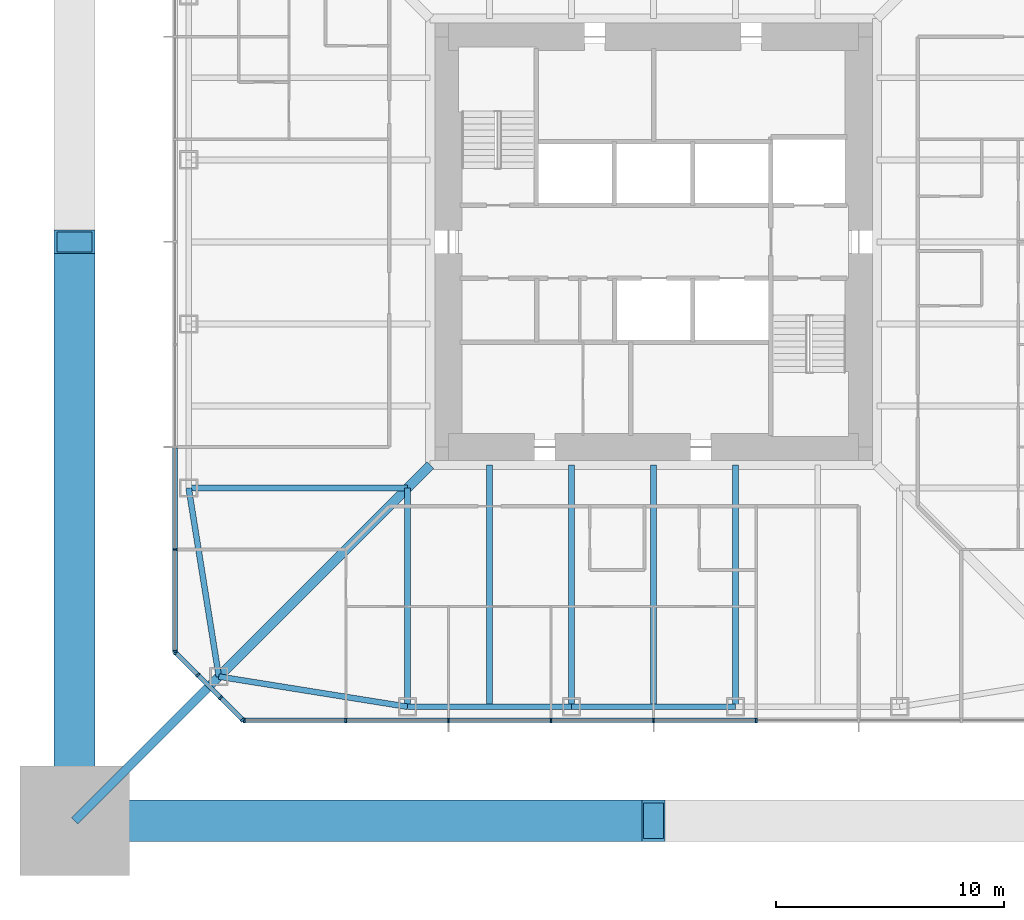
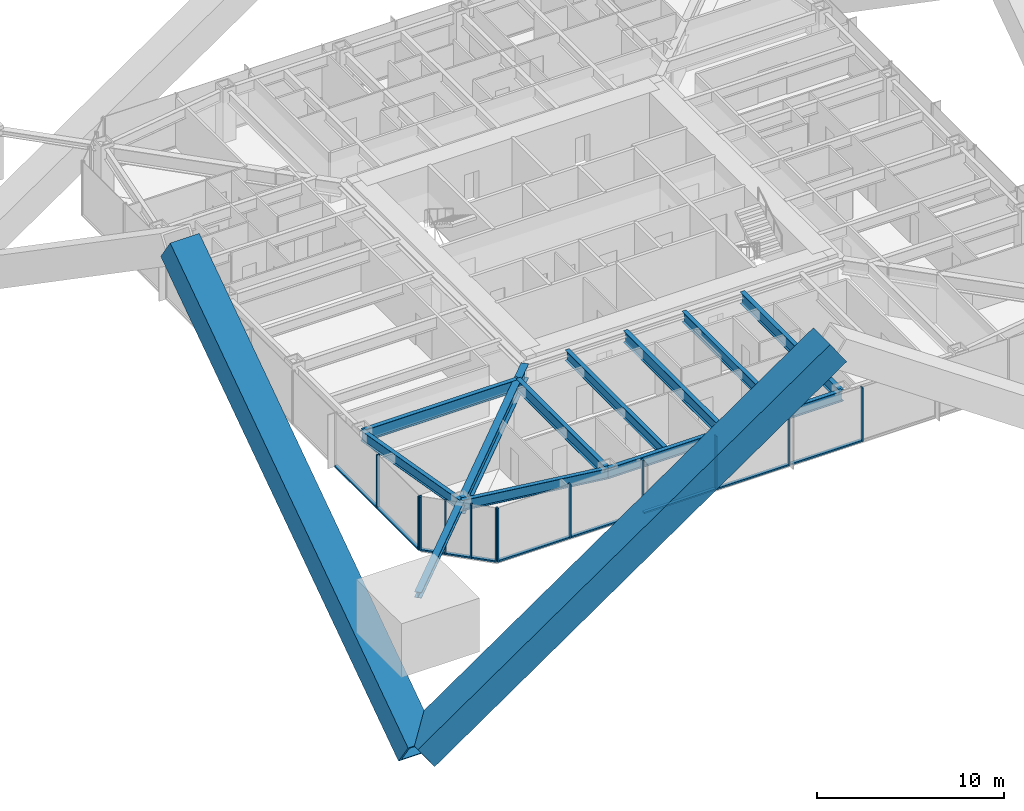
# One storey, part 3 of 26: 25 members, 11 beams, 3 elements without a shape of their own.
"""IFC4 building model written with IfcOpenShell, lengths in metres."""

from ifc_helpers import new_model, si_unit, direction, frame, origin, origin_2d, place, context, subcontext, project, spatial, rectangle, hollow_rectangle, i_section, extrude, material, material_profile, profile_set, type_object, element, aggregate, save


model = new_model("IFC4")

# Units and contexts
model_context = context("Model", 3, precision=1e-05, world=origin(), true_north=direction((0.0, 1.0)))
body_context = subcontext(model_context, "Body", "Model", "MODEL_VIEW")
ifc_project = project(units=[si_unit("LENGTHUNIT", "METRE"), si_unit("AREAUNIT", "SQUARE_METRE"), si_unit("VOLUMEUNIT", "CUBIC_METRE"), si_unit("PLANEANGLEUNIT", "RADIAN"), si_unit("MASSUNIT", "GRAM", prefix="KILO")], contexts=[model_context])

# Site, building, storey
site_placement = place(None, origin())
site = spatial("IfcSite", under=ifc_project, at=site_placement, CompositionType="ELEMENT")
building_placement = place(site_placement, origin())
building = spatial("IfcBuilding", under=site, at=building_placement, Name="Iwan Alto Co-Living Towers", CompositionType="ELEMENT")
storey_placement = place(building_placement, frame((0.0, 0.0, 115.5)))
storey = spatial("IfcBuildingStorey", under=building, at=storey_placement, Name="L31", CompositionType="ELEMENT", Elevation=115.5)

# Curtain wall, members
ifc_material_1 = material(Name="Bronze aluminium unitised frame", Category="aluminium")
curtain_wall_type_1 = type_object("IfcCurtainWallType", Name="CURTAIN WALL CW-A", PredefinedType="NOTDEFINED", material=ifc_material_1)
curtain_wall_1_placement = place(storey_placement, origin())
curtain_wall_1 = element("IfcCurtainWall", 1, at=curtain_wall_1_placement, inside=storey, type_object=curtain_wall_type_1, Name="T1 curtain wall S L31", PredefinedType="NOTDEFINED")
ifc_material_2 = material(Name="Aluminium 6063-T6 bronze anodised", Category="aluminium")
ifc_material_profile_1 = material_profile(ifc_material_2, rectangle(XDim=0.199951171875, YDim=0.080078125, at=origin_2d()), Name="AL 80X200")
ifc_profile_set_1 = profile_set([ifc_material_profile_1], Name="Aluminium 6063-T6 bronze anodised")
member_type_1 = type_object("IfcMemberType", Name="CW-A MULLION 80X200", PredefinedType="MULLION", material=ifc_profile_set_1)
member_1_placement = place(storey_placement, frame((-17.9599609375, -21.0, 0.0), z_axis=(0.0, 0.0, 1.0), x_axis=(0.0, 1.0, 0.0)))
member_1 = element("IfcMember", 2, at=member_1_placement, type_object=member_type_1, Name="CW-A mullion 1", PredefinedType="MULLION", context=body_context, shape_type="SweptSolid", body=[
    extrude(rectangle(XDim=0.199951171875, YDim=0.080078125, at=origin_2d()), origin(), (0.0, 0.0, 1.0), 3.5),
])
member_2_placement = place(storey_placement, frame((-13.5, -21.0, 0.0), z_axis=(0.0, 0.0, 1.0), x_axis=(0.0, 1.0, 0.0)))
member_2 = element("IfcMember", 3, at=member_2_placement, type_object=member_type_1, Name="CW-A mullion 2", PredefinedType="MULLION", context=body_context, shape_type="SweptSolid", body=[
    extrude(rectangle(XDim=0.199951171875, YDim=0.080078125, at=origin_2d()), origin(), (0.0, 0.0, 1.0), 3.5),
])
member_3_placement = place(storey_placement, frame((-9.0, -21.0, 0.0), z_axis=(0.0, 0.0, 1.0), x_axis=(0.0, 1.0, 0.0)))
member_3 = element("IfcMember", 4, at=member_3_placement, type_object=member_type_1, Name="CW-A mullion 3", PredefinedType="MULLION", context=body_context, shape_type="SweptSolid", body=[
    extrude(rectangle(XDim=0.199951171875, YDim=0.080078125, at=origin_2d()), origin(), (0.0, 0.0, 1.0), 3.5),
])
member_4_placement = place(storey_placement, frame((-4.5, -21.0, 0.0), z_axis=(0.0, 0.0, 1.0), x_axis=(0.0, 1.0, 0.0)))
member_4 = element("IfcMember", 5, at=member_4_placement, type_object=member_type_1, Name="CW-A mullion 4", PredefinedType="MULLION", context=body_context, shape_type="SweptSolid", body=[
    extrude(rectangle(XDim=0.199951171875, YDim=0.080078125, at=origin_2d()), origin(), (0.0, 0.0, 1.0), 3.5),
])
member_5_placement = place(storey_placement, frame((0.0, -21.0, 0.0), z_axis=(0.0, 0.0, 1.0), x_axis=(0.0, 1.0, 0.0)))
member_5 = element("IfcMember", 6, at=member_5_placement, type_object=member_type_1, Name="CW-A mullion 5", PredefinedType="MULLION", context=body_context, shape_type="SweptSolid", body=[
    extrude(rectangle(XDim=0.199951171875, YDim=0.080078125, at=origin_2d()), origin(), (0.0, 0.0, 1.0), 3.5),
])
member_6_placement = place(storey_placement, frame((4.5, -21.0, 0.0), z_axis=(0.0, 0.0, 1.0), x_axis=(0.0, 1.0, 0.0)))
member_6 = element("IfcMember", 7, at=member_6_placement, type_object=member_type_1, Name="CW-A mullion 6", PredefinedType="MULLION", context=body_context, shape_type="SweptSolid", body=[
    extrude(rectangle(XDim=0.199951171875, YDim=0.080078125, at=origin_2d()), origin(), (0.0, 0.0, 1.0), 3.5),
])

curtain_wall_2_placement = place(storey_placement, origin())
curtain_wall_2 = element("IfcCurtainWall", 8, at=curtain_wall_2_placement, inside=storey, type_object=curtain_wall_type_1, Name="T1 curtain wall W L31", PredefinedType="NOTDEFINED")
member_7_placement = place(storey_placement, frame((-21.0, -13.5, 0.0), z_axis=(0.0, 0.0, 1.0), x_axis=(1.0, 0.0, 0.0)))
member_7 = element("IfcMember", 9, at=member_7_placement, type_object=member_type_1, Name="CW-A mullion 8", PredefinedType="MULLION", context=body_context, shape_type="SweptSolid", body=[
    extrude(rectangle(XDim=0.199951171875, YDim=0.080078125, at=origin_2d()), origin(), (0.0, 0.0, 1.0), 3.5),
])
member_8_placement = place(storey_placement, frame((-21.0, -17.9599609375, 0.0), z_axis=(0.0, 0.0, 1.0), x_axis=(1.0, 0.0, 0.0)))
member_8 = element("IfcMember", 10, at=member_8_placement, type_object=member_type_1, Name="CW-A mullion 9", PredefinedType="MULLION", context=body_context, shape_type="SweptSolid", body=[
    extrude(rectangle(XDim=0.199951171875, YDim=0.080078125, at=origin_2d()), origin(), (0.0, 0.0, 1.0), 3.5),
])

# Member
ifc_material_3 = material(Name="Aluminium 6063-T6 bronze anodised", Category="aluminium")
ifc_material_profile_2 = material_profile(ifc_material_3, rectangle(XDim=0.199951171875, YDim=0.10009765625, at=origin_2d()), Name="AL 200X100")
ifc_profile_set_2 = profile_set([ifc_material_profile_2], Name="Aluminium 6063-T6 bronze anodised")
member_type_2 = type_object("IfcMemberType", Name="CW-A TRANSOM 200X100", PredefinedType="USERDEFINED", material=ifc_profile_set_2)
member_9_placement = place(storey_placement, frame((-17.919921875, -21.0, 0.050048828125), z_axis=(1.0, 0.0, 0.0), x_axis=(0.0, 1.0, 0.0)))
member_9 = element("IfcMember", 11, at=member_9_placement, type_object=member_type_2, Name="CW-A transom 1.1", ObjectType="TRANSOM", PredefinedType="USERDEFINED", context=body_context, shape_type="SweptSolid", body=[
    extrude(rectangle(XDim=0.199951171875, YDim=0.10009765625, at=origin_2d()), origin(), (0.0, 0.0, 1.0), 4.3798828125),
])

member_10_placement = place(storey_placement, frame((-13.4599609375, -21.0, 0.050048828125), z_axis=(1.0, 0.0, 0.0), x_axis=(0.0, 1.0, 0.0)))
member_10 = element("IfcMember", 12, at=member_10_placement, type_object=member_type_2, Name="CW-A transom 2.1", ObjectType="TRANSOM", PredefinedType="USERDEFINED", context=body_context, shape_type="SweptSolid", body=[
    extrude(rectangle(XDim=0.199951171875, YDim=0.10009765625, at=origin_2d()), origin(), (0.0, 0.0, 1.0), 4.419921875),
])

member_11_placement = place(storey_placement, frame((-8.9599609375, -21.0, 0.050048828125), z_axis=(1.0, 0.0, 0.0), x_axis=(0.0, 1.0, 0.0)))
member_11 = element("IfcMember", 13, at=member_11_placement, type_object=member_type_2, Name="CW-A transom 3.1", ObjectType="TRANSOM", PredefinedType="USERDEFINED", context=body_context, shape_type="SweptSolid", body=[
    extrude(rectangle(XDim=0.199951171875, YDim=0.10009765625, at=origin_2d()), origin(), (0.0, 0.0, 1.0), 4.419921875),
])

member_12_placement = place(storey_placement, frame((-4.4599609375, -21.0, 0.050048828125), z_axis=(1.0, 0.0, 0.0), x_axis=(0.0, 1.0, 0.0)))
member_12 = element("IfcMember", 14, at=member_12_placement, type_object=member_type_2, Name="CW-A transom 4.1", ObjectType="TRANSOM", PredefinedType="USERDEFINED", context=body_context, shape_type="SweptSolid", body=[
    extrude(rectangle(XDim=0.199951171875, YDim=0.10009765625, at=origin_2d()), origin(), (0.0, 0.0, 1.0), 4.419921875),
])

member_13_placement = place(storey_placement, frame((0.0400390625, -21.0, 0.050048828125), z_axis=(1.0, 0.0, 0.0), x_axis=(0.0, 1.0, 0.0)))
member_13 = element("IfcMember", 15, at=member_13_placement, type_object=member_type_2, Name="CW-A transom 5.1", ObjectType="TRANSOM", PredefinedType="USERDEFINED", context=body_context, shape_type="SweptSolid", body=[
    extrude(rectangle(XDim=0.199951171875, YDim=0.10009765625, at=origin_2d()), origin(), (0.0, 0.0, 1.0), 4.419921875),
])

aggregate(curtain_wall_1, [member_1, member_2, member_3, member_4, member_5, member_6, member_9, member_10, member_11, member_12, member_13])

member_14_placement = place(storey_placement, frame((-21.0, -9.0400390625, 0.050048828125), z_axis=(0.0, -1.0, 0.0), x_axis=(1.0, 0.0, 0.0)))
member_14 = element("IfcMember", 16, at=member_14_placement, type_object=member_type_2, Name="CW-A transom 7.1", ObjectType="TRANSOM", PredefinedType="USERDEFINED", context=body_context, shape_type="SweptSolid", body=[
    extrude(rectangle(XDim=0.199951171875, YDim=0.10009765625, at=origin_2d()), origin(), (0.0, 0.0, 1.0), 4.419921875),
])

member_15_placement = place(storey_placement, frame((-21.0, -13.5400390625, 0.050048828125), z_axis=(0.0, -1.0, 0.0), x_axis=(1.0, 0.0, 0.0)))
member_15 = element("IfcMember", 17, at=member_15_placement, type_object=member_type_2, Name="CW-A transom 8.1", ObjectType="TRANSOM", PredefinedType="USERDEFINED", context=body_context, shape_type="SweptSolid", body=[
    extrude(rectangle(XDim=0.199951171875, YDim=0.10009765625, at=origin_2d()), origin(), (0.0, 0.0, 1.0), 4.3798828125),
])

aggregate(curtain_wall_2, [member_7, member_8, member_14, member_15])

# Curtain wall, members
ifc_material_4 = material(Name="Bronze aluminium unitised frame", Category="aluminium")
curtain_wall_type_2 = type_object("IfcCurtainWallType", Name="CURTAIN WALL CW-B", PredefinedType="NOTDEFINED", material=ifc_material_4)
curtain_wall_3_placement = place(storey_placement, origin())
curtain_wall_3 = element("IfcCurtainWall", 18, at=curtain_wall_3_placement, inside=storey, type_object=curtain_wall_type_2, Name="T1 chamfer curtain wall SW L31", PredefinedType="NOTDEFINED")
ifc_material_5 = material(Name="Aluminium 6063-T6 bronze anodised", Category="aluminium")
ifc_material_profile_3 = material_profile(ifc_material_5, rectangle(XDim=0.199951171875, YDim=0.080078125, at=origin_2d()), Name="AL 80X200")
ifc_profile_set_3 = profile_set([ifc_material_profile_3], Name="Aluminium 6063-T6 bronze anodised")
member_type_3 = type_object("IfcMemberType", Name="CW-B MULLION 80X200", PredefinedType="MULLION", material=ifc_profile_set_3)
member_16_placement = place(storey_placement, frame((-20.9716796875, -18.0283203125, 0.0), z_axis=(0.0, 0.0, 1.0), x_axis=(0.707106781187, 0.707106781187, 0.0)))
member_16 = element("IfcMember", 19, at=member_16_placement, type_object=member_type_3, Name="CW-B mullion 1", PredefinedType="MULLION", context=body_context, shape_type="SweptSolid", body=[
    extrude(rectangle(XDim=0.199951171875, YDim=0.080078125, at=origin_2d()), origin(), (0.0, 0.0, 1.0), 3.5),
])
member_17_placement = place(storey_placement, frame((-20.0, -19.0, 0.0), z_axis=(0.0, 0.0, 1.0), x_axis=(0.707106781187, 0.707106781187, 0.0)))
member_17 = element("IfcMember", 20, at=member_17_placement, type_object=member_type_3, Name="CW-B mullion 2", PredefinedType="MULLION", context=body_context, shape_type="SweptSolid", body=[
    extrude(rectangle(XDim=0.199951171875, YDim=0.080078125, at=origin_2d()), origin(), (0.0, 0.0, 1.0), 3.5),
])
member_18_placement = place(storey_placement, frame((-19.0, -20.0, 0.0), z_axis=(0.0, 0.0, 1.0), x_axis=(0.707106781187, 0.707106781187, 0.0)))
member_18 = element("IfcMember", 21, at=member_18_placement, type_object=member_type_3, Name="CW-B mullion 3", PredefinedType="MULLION", context=body_context, shape_type="SweptSolid", body=[
    extrude(rectangle(XDim=0.199951171875, YDim=0.080078125, at=origin_2d()), origin(), (0.0, 0.0, 1.0), 3.5),
])
member_19_placement = place(storey_placement, frame((-18.0283203125, -20.9716796875, 0.0), z_axis=(0.0, 0.0, 1.0), x_axis=(0.707106781187, 0.707106781187, 0.0)))
member_19 = element("IfcMember", 22, at=member_19_placement, type_object=member_type_3, Name="CW-B mullion 4", PredefinedType="MULLION", context=body_context, shape_type="SweptSolid", body=[
    extrude(rectangle(XDim=0.199951171875, YDim=0.080078125, at=origin_2d()), origin(), (0.0, 0.0, 1.0), 3.5),
])
ifc_material_6 = material(Name="Aluminium 6063-T6 bronze anodised", Category="aluminium")
ifc_material_profile_4 = material_profile(ifc_material_6, rectangle(XDim=0.199951171875, YDim=0.10009765625, at=origin_2d()), Name="AL 200X100")
ifc_profile_set_4 = profile_set([ifc_material_profile_4], Name="Aluminium 6063-T6 bronze anodised")
member_type_4 = type_object("IfcMemberType", Name="CW-B TRANSOM 200X100", PredefinedType="USERDEFINED", material=ifc_profile_set_4)
member_20_placement = place(storey_placement, frame((-20.943359375, -18.056640625, 0.050048828125), z_axis=(0.707106781187, -0.707106781187, 0.0), x_axis=(0.707106781187, 0.707106781187, 0.0)))
member_20 = element("IfcMember", 23, at=member_20_placement, type_object=member_type_4, Name="CW-B transom 1.1", ObjectType="TRANSOM", PredefinedType="USERDEFINED", context=body_context, shape_type="SweptSolid", body=[
    extrude(rectangle(XDim=0.199951171875, YDim=0.10009765625, at=origin_2d()), origin(), (0.0, 0.0, 1.0), 1.2939453125),
])
member_21_placement = place(storey_placement, frame((-19.9716796875, -19.0283203125, 0.050048828125), z_axis=(0.707106781187, -0.707106781187, 0.0), x_axis=(0.707106781187, 0.707106781187, 0.0)))
member_21 = element("IfcMember", 24, at=member_21_placement, type_object=member_type_4, Name="CW-B transom 2.1", ObjectType="TRANSOM", PredefinedType="USERDEFINED", context=body_context, shape_type="SweptSolid", body=[
    extrude(rectangle(XDim=0.199951171875, YDim=0.10009765625, at=origin_2d()), origin(), (0.0, 0.0, 1.0), 1.334228515625),
])
member_22_placement = place(storey_placement, frame((-18.9716796875, -20.0283203125, 0.050048828125), z_axis=(0.707106781187, -0.707106781187, 0.0), x_axis=(0.707106781187, 0.707106781187, 0.0)))
member_22 = element("IfcMember", 25, at=member_22_placement, type_object=member_type_4, Name="CW-B transom 3.1", ObjectType="TRANSOM", PredefinedType="USERDEFINED", context=body_context, shape_type="SweptSolid", body=[
    extrude(rectangle(XDim=0.199951171875, YDim=0.10009765625, at=origin_2d()), origin(), (0.0, 0.0, 1.0), 1.2939453125),
])
aggregate(curtain_wall_3, [member_16, member_17, member_18, member_19, member_20, member_21, member_22])

# Beams
ifc_material_7 = material(Name="Steel ASTM A992 Gr 50", Category="steel")
ifc_material_profile_5 = material_profile(ifc_material_7, i_section(OverallWidth=0.419189453125, OverallDepth=0.927001953125, WebThickness=0.019287109375, FlangeThickness=0.031982421875, at=origin_2d()), Name="W36X231")
ifc_profile_set_5 = profile_set([ifc_material_profile_5], Name="Steel ASTM A992 Gr 50")
beam_type_1 = type_object("IfcBeamType", Name="T1 CORNER GIRDER W36X231", PredefinedType="BEAM", material=ifc_profile_set_5)
beam_1_placement = place(storey_placement, frame((-19.07568359375, -19.07568359375, 2.806396484375), z_axis=(0.707106781187, 0.707106781187, 0.0), x_axis=(-0.707106781187, 0.707106781187, 0.0)))
element("IfcBeam", 26, at=beam_1_placement, inside=storey, type_object=beam_type_1, Name="T1 corner girder CSW L32", PredefinedType="BEAM", context=body_context, shape_type="SweptSolid", body=[
    extrude(i_section(OverallWidth=0.419189453125, OverallDepth=0.927001953125, WebThickness=0.019287109375, FlangeThickness=0.031982421875, at=origin_2d()), origin(), (0.0, 0.0, 1.0), 13.11865234375),
])
ifc_material_8 = material(Name="Steel ASTM A992 Gr 50", Category="steel")
ifc_material_profile_6 = material_profile(ifc_material_8, i_section(OverallWidth=0.25390625, OverallDepth=0.683349609375, WebThickness=0.012451171875, FlangeThickness=0.018798828125, at=origin_2d()), Name="W27X94")
ifc_profile_set_6 = profile_set([ifc_material_profile_6], Name="Steel ASTM A992 Gr 50")
beam_type_2 = type_object("IfcBeamType", Name="T1 EDGE BEAM W27X94", PredefinedType="BEAM", material=ifc_profile_set_6)
beam_2_placement = place(storey_placement, frame((-19.07568359375, -19.07568359375, 2.928466796875), z_axis=(0.987438450439, -0.158004134737, 0.0), x_axis=(0.158004134737, 0.987438450439, 0.0)))
element("IfcBeam", 27, at=beam_2_placement, inside=storey, type_object=beam_type_2, Name="T1 edge beam CSW L32", PredefinedType="BEAM", context=body_context, shape_type="SweptSolid", body=[
    extrude(i_section(OverallWidth=0.25390625, OverallDepth=0.683349609375, WebThickness=0.012451171875, FlangeThickness=0.018798828125, at=origin_2d()), origin(), (0.0, 0.0, 1.0), 8.380859375),
])
beam_3_placement = place(storey_placement, frame((-10.800048828125, -20.39990234375, 2.928466796875), z_axis=(1.0, 0.0, 0.0), x_axis=(0.0, 1.0, 0.0)))
element("IfcBeam", 28, at=beam_3_placement, inside=storey, type_object=beam_type_2, Name="T1 edge beam S1 L32", PredefinedType="BEAM", context=body_context, shape_type="SweptSolid", body=[
    extrude(i_section(OverallWidth=0.25390625, OverallDepth=0.683349609375, WebThickness=0.012451171875, FlangeThickness=0.018798828125, at=origin_2d()), origin(), (0.0, 0.0, 1.0), 7.199951171875),
])
beam_4_placement = place(storey_placement, frame((-3.60009765625, -20.39990234375, 2.928466796875), z_axis=(1.0, 0.0, 0.0), x_axis=(0.0, 1.0, 0.0)))
element("IfcBeam", 29, at=beam_4_placement, inside=storey, type_object=beam_type_2, Name="T1 edge beam S2 L32", PredefinedType="BEAM", context=body_context, shape_type="SweptSolid", body=[
    extrude(i_section(OverallWidth=0.25390625, OverallDepth=0.683349609375, WebThickness=0.012451171875, FlangeThickness=0.018798828125, at=origin_2d()), origin(), (0.0, 0.0, 1.0), 7.2001953125),
])
beam_5_placement = place(storey_placement, frame((-20.39990234375, -10.800048828125, 2.928466796875), z_axis=(0.158004134737, -0.987438450439, 0.0), x_axis=(0.987438450439, 0.158004134737, 0.0)))
element("IfcBeam", 30, at=beam_5_placement, inside=storey, type_object=beam_type_2, Name="T1 edge beam W4 L32", PredefinedType="BEAM", context=body_context, shape_type="SweptSolid", body=[
    extrude(i_section(OverallWidth=0.25390625, OverallDepth=0.683349609375, WebThickness=0.012451171875, FlangeThickness=0.018798828125, at=origin_2d()), origin(), (0.0, 0.0, 1.0), 8.380859375),
])

# Members
ifc_material_9 = material(Name="Steel ASTM A572 Gr 42", Category="steel")
ifc_material_profile_7 = material_profile(ifc_material_9, hollow_rectangle(XDim=1.800048828125, YDim=1.800048828125, WallThickness=0.1298828125, at=origin_2d()), Name="BOX 1800X1800X130")
ifc_profile_set_7 = profile_set([ifc_material_profile_7], Name="Steel ASTM A572 Gr 42")
member_type_5 = type_object("IfcMemberType", Name="T1 MEGA BRACE BOX 1800X1800X130", PredefinedType="BRACE", material=ifc_profile_set_7)
for number, where, z_axis, x_axis, name in (
    (31, (-25.39990234375, -25.39990234375, -7.0), (0.82347292246, 0.0, 0.56735557279), (0.0, 1.0, 0.0), "T1 mega brace Z2B S 1 lower"),
    (32, (-25.39990234375, -25.39990234375, -7.0), (0.0, 0.82347292246, 0.56735557279), (-1.0, 0.0, 0.0), "T1 mega brace Z2B W 2 lower"),
):
    element("IfcMember", number, at=place(storey_placement, frame(where, z_axis=z_axis, x_axis=x_axis)), inside=storey, type_object=member_type_5, Name=name, PredefinedType="BRACE", context=body_context, shape_type="SweptSolid", body=[
        extrude(hollow_rectangle(XDim=1.800048828125, YDim=1.800048828125, WallThickness=0.1298828125, at=origin_2d()), origin(), (0.0, 0.0, 1.0), 30.844970703125),
    ])
ifc_material_10 = material(Name="Steel ASTM A992 Gr 50", Category="steel")
ifc_material_profile_8 = material_profile(ifc_material_10, i_section(OverallWidth=0.393798828125, OverallDepth=0.3759765625, WebThickness=0.017333984375, FlangeThickness=0.027587890625, at=origin_2d()), Name="W14X145")
ifc_profile_set_8 = profile_set([ifc_material_profile_8], Name="Steel ASTM A992 Gr 50")
member_type_6 = type_object("IfcMemberType", Name="T1 MEGA COLUMN FLOOR TIE W14X145", PredefinedType="STRUT", material=ifc_profile_set_8)
member_23_placement = place(storey_placement, frame((-25.39990234375, -25.39990234375, 3.08203125), z_axis=(0.707106781187, 0.707106781187, 0.0), x_axis=(-0.707106781187, 0.707106781187, 0.0)))
element("IfcMember", 33, at=member_23_placement, inside=storey, type_object=member_type_6, Name="T1 mega column floor tie SW L32", PredefinedType="STRUT", context=body_context, shape_type="SweptSolid", body=[
    extrude(i_section(OverallWidth=0.393798828125, OverallDepth=0.3759765625, WebThickness=0.017333984375, FlangeThickness=0.027587890625, at=origin_2d()), origin(), (0.0, 0.0, 1.0), 8.94384765625),
])

# Beams
ifc_material_11 = material(Name="Steel ASTM A992 Gr 50", Category="steel")
ifc_material_profile_9 = material_profile(ifc_material_11, i_section(OverallWidth=0.2666015625, OverallDepth=0.761962890625, WebThickness=0.014404296875, FlangeThickness=0.021484375, at=origin_2d()), Name="W30X116")
ifc_profile_set_9 = profile_set([ifc_material_profile_9], Name="Steel ASTM A992 Gr 50")
beam_type_3 = type_object("IfcBeamType", Name="T1 RADIAL BEAM W30X116", PredefinedType="BEAM", material=ifc_profile_set_9)
beam_6_placement = place(storey_placement, frame((-10.800048828125, -20.39990234375, 2.888916015625), z_axis=(0.0, 1.0, 0.0), x_axis=(-1.0, 0.0, 0.0)))
element("IfcBeam", 34, at=beam_6_placement, inside=storey, type_object=beam_type_3, Name="T1 radial beam S1 L32", PredefinedType="BEAM", context=body_context, shape_type="SweptSolid", body=[
    extrude(i_section(OverallWidth=0.2666015625, OverallDepth=0.761962890625, WebThickness=0.014404296875, FlangeThickness=0.021484375, at=origin_2d()), origin(), (0.0, 0.0, 1.0), 9.599853515625),
])
for number, where, z_axis, x_axis, name in (
    (35, (-3.60009765625, -20.39990234375, 2.888916015625), (0.0, 1.0, 0.0), (-1.0, 0.0, 0.0), "T1 radial beam S2 L32"),
    (36, (3.60009765625, -20.39990234375, 2.888916015625), (0.0, 1.0, 0.0), (-1.0, 0.0, 0.0), "T1 radial beam S3 L32"),
):
    element("IfcBeam", number, at=place(storey_placement, frame(where, z_axis=z_axis, x_axis=x_axis)), inside=storey, type_object=beam_type_3, Name=name, PredefinedType="BEAM", context=body_context, shape_type="SweptSolid", body=[
        extrude(i_section(OverallWidth=0.2666015625, OverallDepth=0.761962890625, WebThickness=0.014404296875, FlangeThickness=0.021484375, at=origin_2d()), origin(), (0.0, 0.0, 1.0), 10.6005859375),
    ])
beam_7_placement = place(storey_placement, frame((-20.39990234375, -10.800048828125, 2.888916015625), z_axis=(1.0, 0.0, 0.0), x_axis=(0.0, 1.0, 0.0)))
element("IfcBeam", 37, at=beam_7_placement, inside=storey, type_object=beam_type_3, Name="T1 radial beam W4 L32", PredefinedType="BEAM", context=body_context, shape_type="SweptSolid", body=[
    extrude(i_section(OverallWidth=0.2666015625, OverallDepth=0.761962890625, WebThickness=0.014404296875, FlangeThickness=0.021484375, at=origin_2d()), origin(), (0.0, 0.0, 1.0), 9.599853515625),
])
ifc_material_12 = material(Name="Steel ASTM A992 Gr 50", Category="steel")
ifc_material_profile_10 = material_profile(ifc_material_12, i_section(OverallWidth=0.25390625, OverallDepth=0.683349609375, WebThickness=0.012451171875, FlangeThickness=0.018798828125, at=origin_2d()), Name="W27X94")
ifc_profile_set_10 = profile_set([ifc_material_profile_10], Name="Steel ASTM A992 Gr 50")
beam_type_4 = type_object("IfcBeamType", Name="T1 SECONDARY BEAM W27X94", PredefinedType="JOIST", material=ifc_profile_set_10)
for number, where, z_axis, x_axis, name in (
    (38, (-7.199951171875, -20.39990234375, 2.928466796875), (0.0, 1.0, 0.0), (-1.0, 0.0, 0.0), "T1 secondary beam S1 L32"),
    (39, (0.0, -20.39990234375, 2.928466796875), (0.0, 1.0, 0.0), (-1.0, 0.0, 0.0), "T1 secondary beam S2 L32"),
):
    element("IfcBeam", number, at=place(storey_placement, frame(where, z_axis=z_axis, x_axis=x_axis)), inside=storey, type_object=beam_type_4, Name=name, PredefinedType="JOIST", context=body_context, shape_type="SweptSolid", body=[
        extrude(i_section(OverallWidth=0.25390625, OverallDepth=0.683349609375, WebThickness=0.012451171875, FlangeThickness=0.018798828125, at=origin_2d()), origin(), (0.0, 0.0, 1.0), 10.6005859375),
    ])

save(model, "model.ifc")
